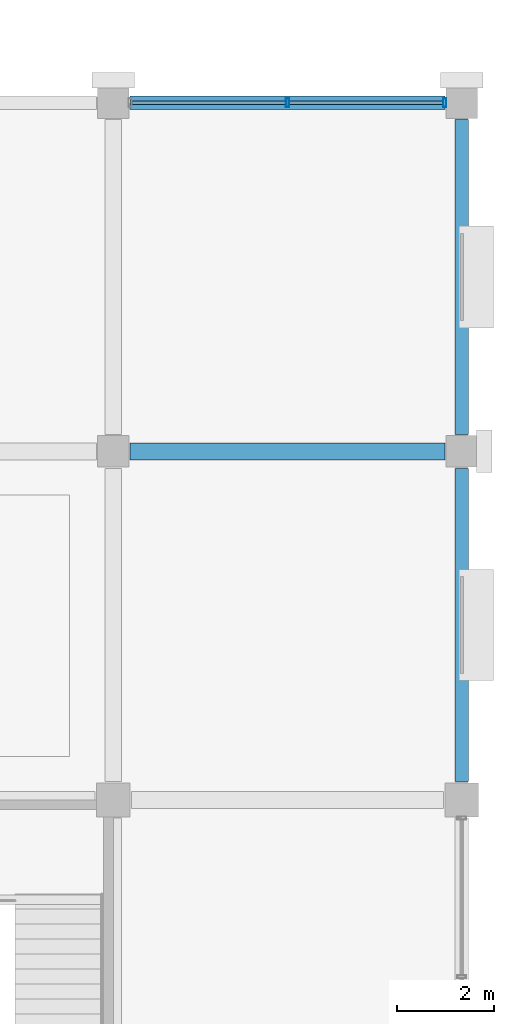
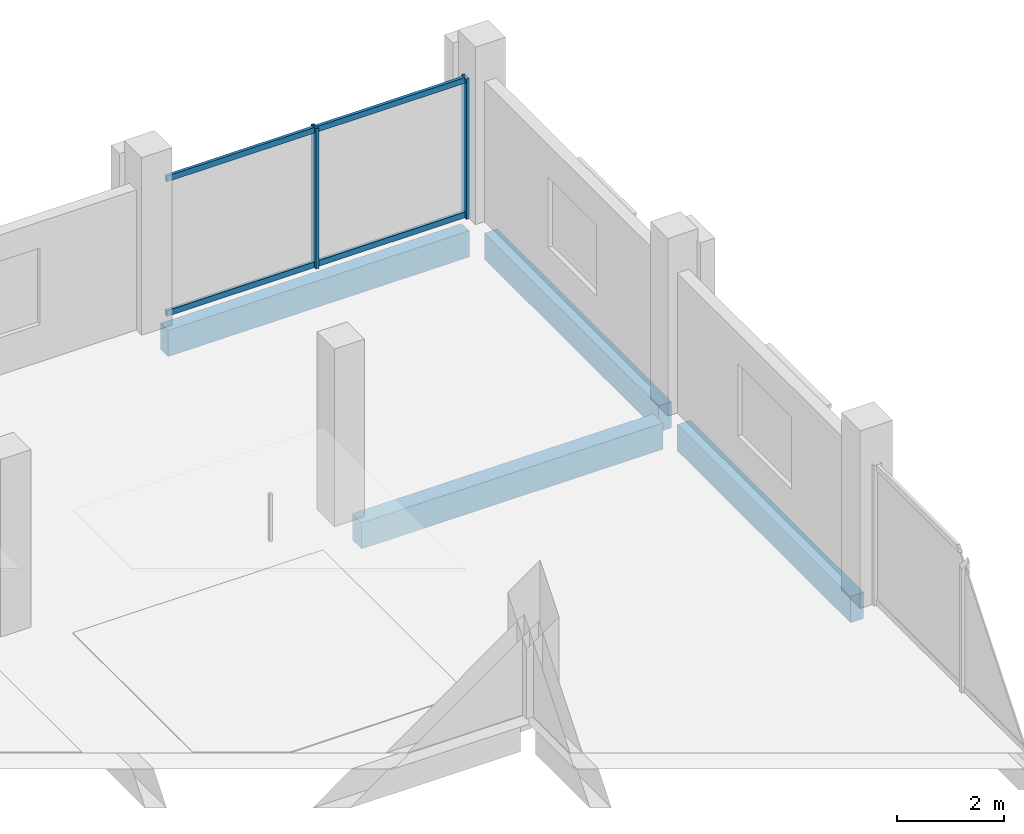
# One storey, part 60 of 91: 6 members, 4 beams, 1 element without a shape of its own.
"""IFC4 building model written with IfcOpenShell, lengths in metres."""

from ifc_helpers import new_model, si_unit, direction, frame, origin, origin_2d, place, context, subcontext, project, spatial, rectangle, hollow_rectangle, extrude, material, layer, layer_set, material_profile, profile_set, type_object, element, aggregate, save


model = new_model("IFC4")

# Units and contexts
model_context = context("Model", 3, precision=1e-05, world=origin(), true_north=direction((0.0, 1.0)))
body_context = subcontext(model_context, "Body", "Model", "MODEL_VIEW")
ifc_project = project(units=[si_unit("LENGTHUNIT", "METRE"), si_unit("AREAUNIT", "SQUARE_METRE"), si_unit("VOLUMEUNIT", "CUBIC_METRE"), si_unit("PLANEANGLEUNIT", "RADIAN"), si_unit("MASSUNIT", "GRAM", prefix="KILO")], contexts=[model_context])

# Site, building, storey
site_placement = place(None, origin())
site = spatial("IfcSite", under=ifc_project, at=site_placement, CompositionType="ELEMENT")
building_placement = place(site_placement, origin())
building = spatial("IfcBuilding", under=site, at=building_placement, Name="Kangsadwip Square Police Headquarters", CompositionType="ELEMENT")
storey_placement = place(building_placement, frame((0.0, 0.0, 13.5)))
storey = spatial("IfcBuildingStorey", under=building, at=storey_placement, Name="L03", CompositionType="ELEMENT", Elevation=13.5)

# Curtain wall, members
ifc_material_1 = material(Name="Thermally broken anodised aluminium AW-6063-T6", Category="aluminium")
ifc_layer = layer(ifc_material_1, 0.159912109375)
ifc_layer_set = layer_set([ifc_layer], Name="Thermally broken anodised aluminium AW-6063-T6")
curtain_wall_type = type_object("IfcCurtainWallType", Name="UnitisedCw6560x3200", PredefinedType="NOTDEFINED", material=ifc_layer_set)
curtain_wall_placement = place(storey_placement, origin())
curtain_wall = element("IfcCurtainWall", 1, at=curtain_wall_placement, inside=storey, type_object=curtain_wall_type, Name="Curtain Wall CW-L03-1587-1152", PredefinedType="NOTDEFINED")
ifc_material_2 = material(Name="Thermally broken anodised aluminium AW-6063-T6", Category="aluminium")
ifc_material_profile_1 = material_profile(ifc_material_2, hollow_rectangle(XDim=0.06494140625, YDim=0.179931640625, WallThickness=0.00390625, at=origin_2d()), Name="CWM 180X65X4")
ifc_profile_set_1 = profile_set([ifc_material_profile_1], Name="Thermally broken anodised aluminium AW-6063-T6")
member_type_1 = type_object("IfcMemberType", Name="CwMullion160x65", PredefinedType="MULLION", material=ifc_profile_set_1)
member_1_placement = place(storey_placement, frame((162.0, 115.199951171875, 0.0), z_axis=(0.0, 0.0, 1.0), x_axis=(1.0, 0.0, 0.0)))
member_1 = element("IfcMember", 2, at=member_1_placement, type_object=member_type_1, Name="CW-20 mullion 2", PredefinedType="MULLION", context=body_context, shape_type="SweptSolid", body=[
    extrude(hollow_rectangle(XDim=0.06494140625, YDim=0.179931640625, WallThickness=0.00390625, at=origin_2d()), origin(), (0.0, 0.0, 1.0), 3.199951171875),
])
member_2_placement = place(storey_placement, frame((165.24755859375, 115.199951171875, 0.0), z_axis=(0.0, 0.0, 1.0), x_axis=(1.0, 0.0, 0.0)))
member_2 = element("IfcMember", 3, at=member_2_placement, type_object=member_type_1, Name="CW-20 mullion 3", PredefinedType="MULLION", context=body_context, shape_type="SweptSolid", body=[
    extrude(hollow_rectangle(XDim=0.06494140625, YDim=0.179931640625, WallThickness=0.00390625, at=origin_2d()), origin(), (0.0, 0.0, 1.0), 3.199951171875),
])
ifc_material_3 = material(Name="Thermally broken anodised aluminium AW-6063-T6", Category="aluminium")
ifc_material_profile_2 = material_profile(ifc_material_3, hollow_rectangle(XDim=0.06494140625, YDim=0.1298828125, WallThickness=0.00390625, at=origin_2d()), Name="CWT 130X65X4")
ifc_profile_set_2 = profile_set([ifc_material_profile_2], Name="Thermally broken anodised aluminium AW-6063-T6")
member_type_2 = type_object("IfcMemberType", Name="CwTransom140x60", PredefinedType="USERDEFINED", material=ifc_profile_set_2)
member_3_placement = place(storey_placement, frame((158.784912109375, 115.199951171875, 0.06494140625), z_axis=(1.0, 0.0, 0.0), x_axis=(0.0, 1.0, 0.0)))
member_3 = element("IfcMember", 4, at=member_3_placement, type_object=member_type_2, Name="CW-20 transom 1.1", ObjectType="TRANSOM", PredefinedType="USERDEFINED", context=body_context, shape_type="SweptSolid", body=[
    extrude(hollow_rectangle(XDim=0.06494140625, YDim=0.1298828125, WallThickness=0.00390625, at=origin_2d()), origin(), (0.0, 0.0, 1.0), 3.1826171875),
])
member_4_placement = place(storey_placement, frame((158.784912109375, 115.199951171875, 3.135009765625), z_axis=(1.0, 0.0, 0.0), x_axis=(0.0, 1.0, 0.0)))
member_4 = element("IfcMember", 5, at=member_4_placement, type_object=member_type_2, Name="CW-20 transom 1.2", ObjectType="TRANSOM", PredefinedType="USERDEFINED", context=body_context, shape_type="SweptSolid", body=[
    extrude(hollow_rectangle(XDim=0.06494140625, YDim=0.1298828125, WallThickness=0.00390625, at=origin_2d()), origin(), (0.0, 0.0, 1.0), 3.1826171875),
])
member_5_placement = place(storey_placement, frame((162.032470703125, 115.199951171875, 0.06494140625), z_axis=(1.0, 0.0, 0.0), x_axis=(0.0, 1.0, 0.0)))
member_5 = element("IfcMember", 6, at=member_5_placement, type_object=member_type_2, Name="CW-20 transom 2.1", ObjectType="TRANSOM", PredefinedType="USERDEFINED", context=body_context, shape_type="SweptSolid", body=[
    extrude(hollow_rectangle(XDim=0.06494140625, YDim=0.1298828125, WallThickness=0.00390625, at=origin_2d()), origin(), (0.0, 0.0, 1.0), 3.1826171875),
])
member_6_placement = place(storey_placement, frame((162.032470703125, 115.199951171875, 3.135009765625), z_axis=(1.0, 0.0, 0.0), x_axis=(0.0, 1.0, 0.0)))
member_6 = element("IfcMember", 7, at=member_6_placement, type_object=member_type_2, Name="CW-20 transom 2.2", ObjectType="TRANSOM", PredefinedType="USERDEFINED", context=body_context, shape_type="SweptSolid", body=[
    extrude(hollow_rectangle(XDim=0.06494140625, YDim=0.1298828125, WallThickness=0.00390625, at=origin_2d()), origin(), (0.0, 0.0, 1.0), 3.1826171875),
])
aggregate(curtain_wall, [member_1, member_2, member_3, member_4, member_5, member_6])

# Beams
ifc_material_4 = material(Name="Concrete M35 (35 MPa)", Category="concrete")
ifc_material_profile_3 = material_profile(ifc_material_4, rectangle(XDim=0.35009765625, YDim=0.60009765625, at=origin_2d()), Name="RC BM 600X350")
ifc_profile_set_3 = profile_set([ifc_material_profile_3], Name="Concrete M35 (35 MPa)")
beam_type_1 = type_object("IfcBeamType", Name="RcBeam600x350", PredefinedType="BEAM", material=ifc_profile_set_3)
beam_1_placement = place(storey_placement, frame((158.75, 108.0, -0.5400390625), z_axis=(1.0, 0.0, 0.0), x_axis=(0.0, 1.0, 0.0)))
element("IfcBeam", 8, at=beam_1_placement, inside=storey, type_object=beam_type_1, Name="Beam BM-L03-X-22-15", PredefinedType="BEAM", context=body_context, shape_type="SweptSolid", body=[
    extrude(rectangle(XDim=0.35009765625, YDim=0.60009765625, at=origin_2d()), origin(), (0.0, 0.0, 1.0), 6.5),
])
ifc_material_5 = material(Name="Concrete M40 (40 MPa)", Category="concrete")
ifc_material_profile_4 = material_profile(ifc_material_5, rectangle(XDim=0.280029296875, YDim=0.60009765625, at=origin_2d()), Name="RC SPN 600X280")
ifc_profile_set_4 = profile_set([ifc_material_profile_4], Name="Concrete M40 (40 MPa)")
beam_type_2 = type_object("IfcBeamType", Name="RcSpandrel600x280", PredefinedType="SPANDREL", material=ifc_profile_set_4)
beam_2_placement = place(storey_placement, frame((158.75, 115.199951171875, -0.5400390625), z_axis=(1.0, 0.0, 0.0), x_axis=(0.0, 1.0, 0.0)))
element("IfcBeam", 9, at=beam_2_placement, inside=storey, type_object=beam_type_2, Name="Beam BM-L03-X-22-16", PredefinedType="SPANDREL", context=body_context, shape_type="SweptSolid", body=[
    extrude(rectangle(XDim=0.280029296875, YDim=0.60009765625, at=origin_2d()), origin(), (0.0, 0.0, 1.0), 6.5),
])
beam_3_placement = place(storey_placement, frame((165.60009765625, 101.175048828125, -0.5400390625), z_axis=(0.0, 1.0, 0.0), x_axis=(-1.0, 0.0, 0.0)))
element("IfcBeam", 10, at=beam_3_placement, inside=storey, type_object=beam_type_2, Name="Beam BM-L03-Y-23-14", PredefinedType="SPANDREL", context=body_context, shape_type="SweptSolid", body=[
    extrude(rectangle(XDim=0.280029296875, YDim=0.60009765625, at=origin_2d()), origin(), (0.0, 0.0, 1.0), 6.474853515625),
])
beam_4_placement = place(storey_placement, frame((165.60009765625, 108.35009765625, -0.5400390625), z_axis=(0.0, 1.0, 0.0), x_axis=(-1.0, 0.0, 0.0)))
element("IfcBeam", 11, at=beam_4_placement, inside=storey, type_object=beam_type_2, Name="Beam BM-L03-Y-23-15", PredefinedType="SPANDREL", context=body_context, shape_type="SweptSolid", body=[
    extrude(rectangle(XDim=0.280029296875, YDim=0.60009765625, at=origin_2d()), origin(), (0.0, 0.0, 1.0), 6.5),
])

save(model, "model.ifc")
